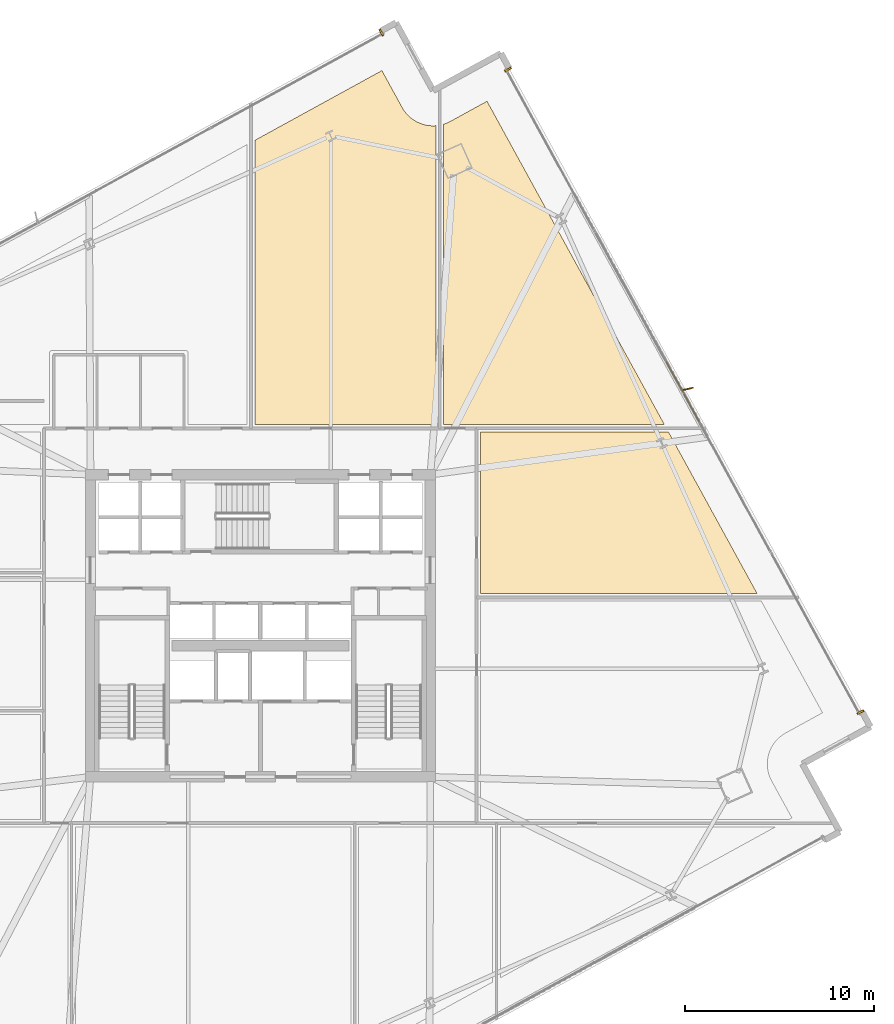
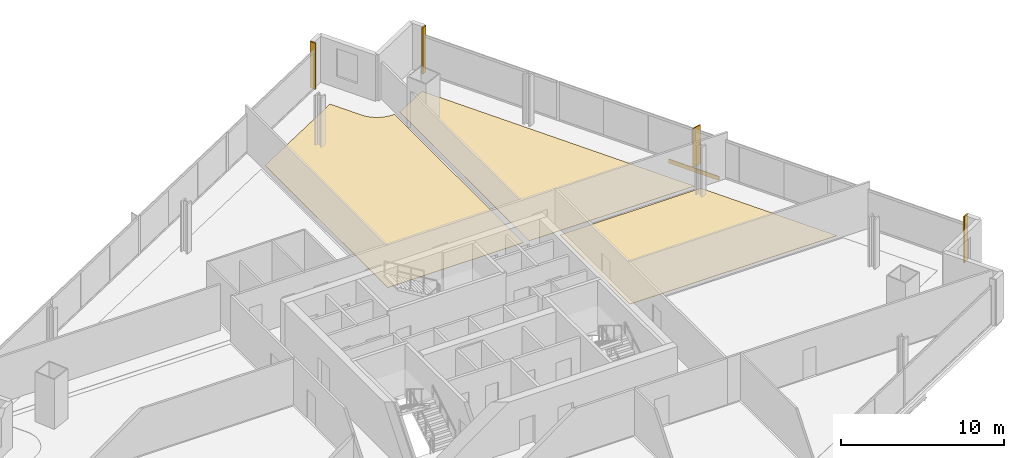
# One storey, part 33 of 33: 7 coverings, 1 shading device.
"""IFC4 building model written with IfcOpenShell, lengths in metres."""

from ifc_helpers import new_model, si_unit, direction, frame, origin, origin_2d, place, context, subcontext, project, spatial, polyline, rectangle, outline, extrude, source, transform, mapped, material, layer, layer_set, type_object, element, save


model = new_model("IFC4")

# Units and contexts
model_context = context("Model", 3, precision=1e-05, world=origin(), true_north=direction((0.0, 1.0)))
body_context = subcontext(model_context, "Body", "Model", "MODEL_VIEW")
ifc_project = project(units=[si_unit("LENGTHUNIT", "METRE"), si_unit("AREAUNIT", "SQUARE_METRE"), si_unit("VOLUMEUNIT", "CUBIC_METRE"), si_unit("PLANEANGLEUNIT", "RADIAN"), si_unit("MASSUNIT", "GRAM", prefix="KILO")], contexts=[model_context])

# Site, building, storey
site_placement = place(None, origin())
site = spatial("IfcSite", under=ifc_project, at=site_placement, CompositionType="ELEMENT")
building_placement = place(site_placement, origin())
building = spatial("IfcBuilding", under=site, at=building_placement, Name="Haldenkirk Collegiate Tower", CompositionType="ELEMENT")
storey_placement = place(building_placement, frame((0.0, 0.0, 124.199951171875)))
storey = spatial("IfcBuildingStorey", under=building, at=storey_placement, Name="L30", CompositionType="ELEMENT", Elevation=124.199951171875)

# Coverings
ifc_material_1 = material(Name="Polished collegiate terrazzo", Category="concrete")
ifc_layer_1 = layer(ifc_material_1, 0.02490234375)
ifc_layer_set_1 = layer_set([ifc_layer_1], Name="Polished collegiate terrazzo")
covering_type_1 = type_object("IfcCoveringType", Name="COV-FLOOR-TERRAZZO", PredefinedType="FLOORING", material=ifc_layer_set_1)
covering_1_placement = place(storey_placement, origin())
element("IfcCovering", 1, at=covering_1_placement, inside=storey, type_object=covering_type_1, Name="L30 academic room finish 06", PredefinedType="FLOORING", context=body_context, shape_type="SweptSolid", body=[
    extrude(outline(polyline([(43.50537109375, 53.443115234375), (43.50830078125, 53.43798828125), (43.59814453125, 53.29150390625), (43.60498046875, 53.281982421875), (43.708740234375, 53.14501953125), (43.71630859375, 53.135986328125), (43.8330078125, 53.010009765625), (43.84130859375, 53.001708984375), (43.969970703125, 52.887939453125), (43.97900390625, 52.880615234375), (44.1181640625, 52.77978515625), (44.1279296875, 52.773193359375), (44.276123046875, 52.6865234375), (44.28662109375, 52.68115234375), (44.44287109375, 52.609619140625), (44.45361328125, 52.60498046875), (44.615966796875, 52.549072265625), (44.627197265625, 52.545654296875), (44.794189453125, 52.505859375), (44.805908203125, 52.503662109375), (44.97607421875, 52.480224609375), (44.98779296875, 52.479248046875), (45.159423828125, 52.47265625), (45.171142578125, 52.472900390625), (45.300048828125, 52.480712890625), (45.300048828125, 36.64990234375), (35.699951171875, 36.64990234375), (35.699951171875, 51.704345703125), (42.432861328125, 55.398193359375), (43.50537109375, 53.443115234375)])), origin(), (0.0, 0.0, 1.0), 0.025146484375),
])
covering_2_placement = place(storey_placement, origin())
element("IfcCovering", 2, at=covering_2_placement, inside=storey, type_object=covering_type_1, Name="L30 academic room finish 12", PredefinedType="FLOORING", context=body_context, shape_type="SweptSolid", body=[
    extrude(outline(polyline([(62.304931640625, 27.699951171875), (47.64990234375, 27.699951171875), (47.64990234375, 36.25), (57.614501953125, 36.25), (62.304931640625, 27.699951171875)])), origin(), (0.0, 0.0, 1.0), 0.025146484375),
])
ifc_material_2 = material(Name="Engineered collegiate oak acoustic flooring", Category="wood")
ifc_layer_2 = layer(ifc_material_2, 0.02197265625)
ifc_layer_set_2 = layer_set([ifc_layer_2], Name="Engineered collegiate oak acoustic flooring")
covering_type_2 = type_object("IfcCoveringType", Name="COV-FLOOR-TIMBER", PredefinedType="FLOORING", material=ifc_layer_set_2)
covering_3_placement = place(storey_placement, origin())
element("IfcCovering", 3, at=covering_3_placement, inside=storey, type_object=covering_type_2, Name="L30 academic room finish 07", PredefinedType="FLOORING", context=body_context, shape_type="SweptSolid", body=[
    extrude(outline(polyline([(45.70166015625, 52.557373046875), (45.712646484375, 52.56103515625), (45.873779296875, 52.62060546875), (45.884765625, 52.625244140625), (46.0390625, 52.7001953125), (46.044189453125, 52.702880859375), (47.99951171875, 53.775634765625), (57.39501953125, 36.64990234375), (45.699951171875, 36.64990234375), (45.699951171875, 52.556884765625), (45.70166015625, 52.557373046875)])), origin(), (0.0, 0.0, 1.0), 0.02197265625),
])
ifc_material_3 = material(Name="Anodised architectural bronze aluminium", Category="aluminium")
ifc_layer_3 = layer(ifc_material_3, 0.06005859375)
ifc_layer_set_3 = layer_set([ifc_layer_3], Name="Anodised architectural bronze aluminium")
covering_type_3 = type_object("IfcCoveringType", Name="COV-CLAD-BRONZE-60", PredefinedType="CLADDING", material=ifc_layer_set_3)
shared_shape_1 = source(origin(), body_context, "Body", "SweptSolid", [
    extrude(rectangle(XDim=3.60009765625, YDim=0.06005859375, at=origin_2d()), origin(), (0.0, 0.0, 1.0), 0.300048828125),
])
covering_4_placement = place(storey_placement, frame((58.36376953125, 38.3974609375, -0.2998046875), z_axis=(0.0, 0.0, 1.0), x_axis=(0.480988768919, -0.876726755708, 0.0)))
element("IfcCovering", 4, at=covering_4_placement, inside=storey, type_object=covering_type_3, Name="L30 architectural bronze spandrel cladding E", PredefinedType="CLADDING", context=body_context, shape_type="MappedRepresentation", body=[
    mapped(shared_shape_1, transform((0.0, 0.0, 0.0), x_axis=(1.0, 0.0, 0.0), y_axis=(0.0, 1.0, 0.0), z_axis=(0.0, 0.0, 1.0), scale=1.0)),
])
shared_shape_2 = source(origin(), body_context, "Body", "SweptSolid", [
    extrude(rectangle(XDim=0.10009765625, YDim=0.3798828125, at=origin_2d()), origin(), (0.0, 0.0, 1.0), 3.449951171875),
])
for number, where, z_axis, x_axis, name in (
    (5, (49.10791015625, 55.455810546875, 0.0), (0.0, 0.0, 1.0), (0.480988768919, -0.876726755708, 0.0), "L30 recessed curtain-wall bronze jamb closure EJL"),
    (6, (67.777587890625, 21.42578125, 0.0), (0.0, 0.0, 1.0), (0.480988768919, -0.876726755708, 0.0), "L30 recessed curtain-wall bronze jamb closure EJR"),
    (7, (42.40087890625, 57.410888671875, 0.0), (0.0, 0.0, 1.0), (0.876726755708, 0.480988768919, 0.0), "L30 recessed curtain-wall bronze jamb closure NJR"),
):
    element("IfcCovering", number, at=place(storey_placement, frame(where, z_axis=z_axis, x_axis=x_axis)), inside=storey, type_object=covering_type_3, Name=name, PredefinedType="CLADDING", context=body_context, shape_type="MappedRepresentation", body=[
        mapped(shared_shape_2, transform((0.0, 0.0, 0.0), x_axis=(1.0, 0.0, 0.0), y_axis=(0.0, 1.0, 0.0), z_axis=(0.0, 0.0, 1.0), scale=1.0)),
    ])

# Shading device
ifc_layer_4 = layer(ifc_material_3, 0.06494140625)
ifc_layer_set_4 = layer_set([ifc_layer_4], Name="Anodised architectural bronze aluminium")
shading_device_type = type_object("IfcShadingDeviceType", Name="SHD-FIN-BRONZE-620", PredefinedType="USERDEFINED", material=ifc_layer_set_4)
shared_shape_3 = source(origin(), body_context, "Body", "SweptSolid", [
    extrude(rectangle(XDim=0.6201171875, YDim=0.06494140625, at=origin_2d()), origin(), (0.0, 0.0, 1.0), 2.90087890625),
])
shading_device_placement = place(storey_placement, frame((58.622314453125, 38.539306640625, 0.0), z_axis=(0.0, 0.0, 1.0), x_axis=(0.975342320509, 0.220697435022, 0.0)))
element("IfcShadingDevice", 8, at=shading_device_placement, inside=storey, type_object=shading_device_type, Name="L30 folded bronze solar fin 1", ObjectType="FIN", PredefinedType="USERDEFINED", context=body_context, shape_type="MappedRepresentation", body=[
    mapped(shared_shape_3, transform((0.0, 0.0, 0.0), x_axis=(1.0, 0.0, 0.0), y_axis=(0.0, 1.0, 0.0), z_axis=(0.0, 0.0, 1.0), scale=1.0)),
])

save(model, "model.ifc")
